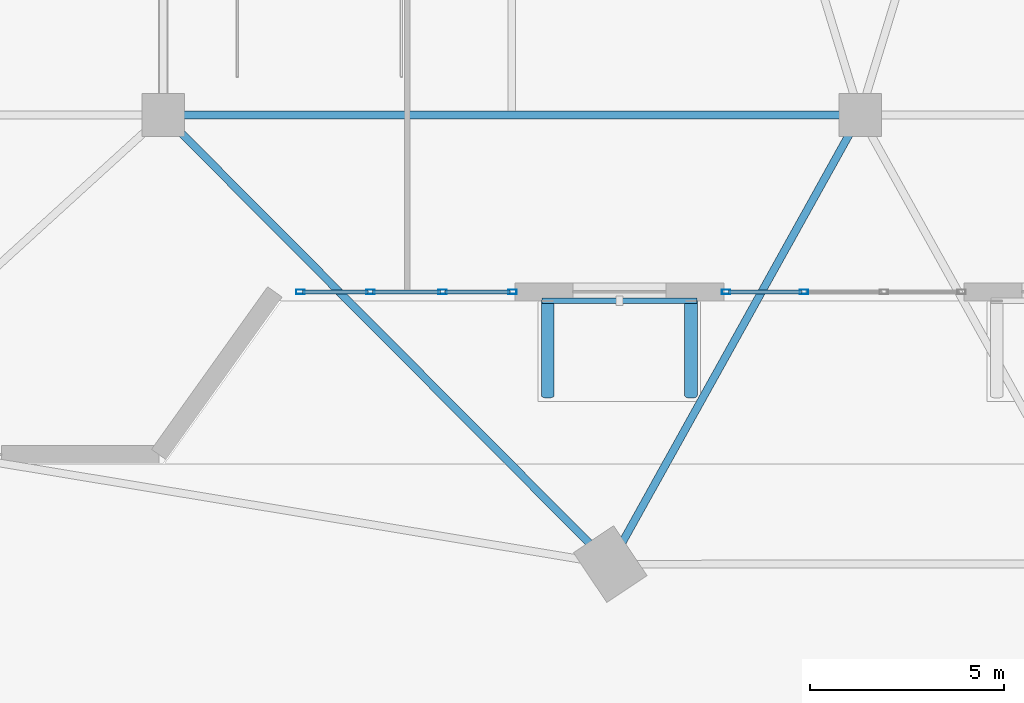
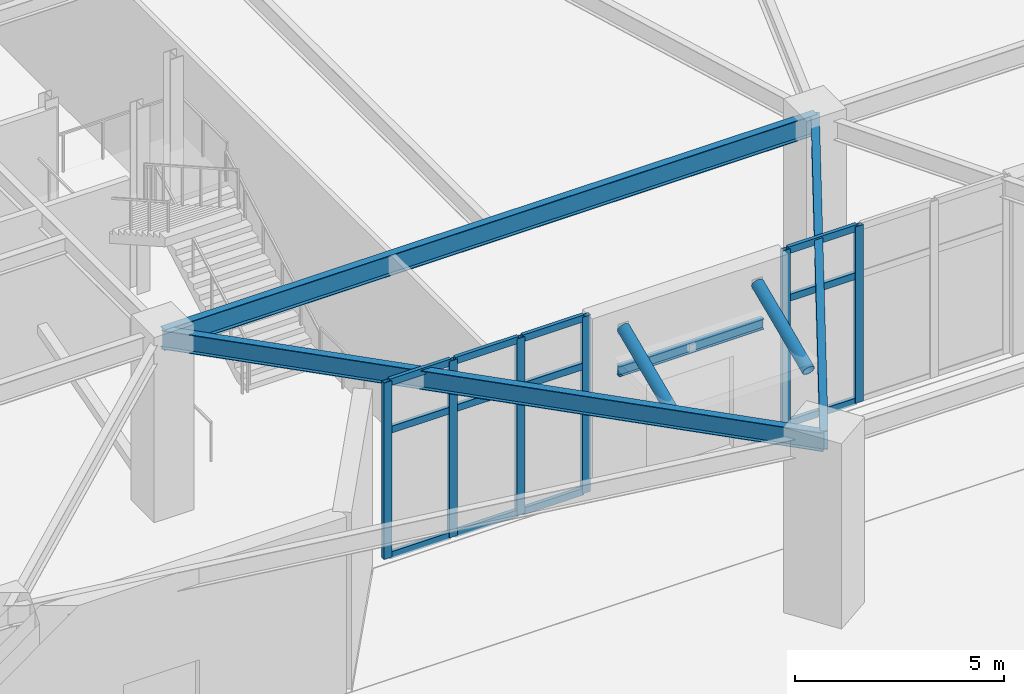
# One storey, part 5 of 30: 20 members, 4 beams, 2 elements without a shape of their own.
"""IFC4 building model written with IfcOpenShell, lengths in metres."""

from ifc_helpers import new_model, si_unit, direction, frame, origin, origin_2d, place, context, subcontext, project, spatial, hollow_rectangle, hollow_circle, i_section, extrude, source, transform, mapped, material, layer, layer_set, material_profile, profile_set, type_object, element, aggregate, save


model = new_model("IFC4")

# Units and contexts
model_context = context("Model", 3, precision=1e-05, world=origin(), true_north=direction((0.0, 1.0)))
body_context = subcontext(model_context, "Body", "Model", "MODEL_VIEW")
ifc_project = project(units=[si_unit("LENGTHUNIT", "METRE"), si_unit("AREAUNIT", "SQUARE_METRE"), si_unit("VOLUMEUNIT", "CUBIC_METRE"), si_unit("PLANEANGLEUNIT", "RADIAN"), si_unit("MASSUNIT", "GRAM", prefix="KILO")], contexts=[model_context])

# Site, building, storey
site_placement = place(None, origin())
site = spatial("IfcSite", under=ifc_project, at=site_placement, CompositionType="ELEMENT")
building_placement = place(site_placement, origin())
building = spatial("IfcBuilding", under=site, at=building_placement, Name="Liaohun Quay Tower", CompositionType="ELEMENT")
storey_placement = place(building_placement, origin())
storey = spatial("IfcBuildingStorey", under=building, at=storey_placement, Name="L01", CompositionType="ELEMENT", Elevation=0.0)

# Beams
ifc_material_1 = material(Name="Steel Q355D", Category="steel")
ifc_material_profile_1 = material_profile(ifc_material_1, i_section(OverallWidth=0.199951171875, OverallDepth=0.60009765625, WebThickness=0.010986328125, FlangeThickness=0.01708984375, at=origin_2d()), Name="HN600x200x11x17")
ifc_profile_set_1 = profile_set([ifc_material_profile_1], Name="Steel Q355D")
beam_type_1 = type_object("IfcBeamType", Name="BM-POD-G1", PredefinedType="BEAM", material=ifc_profile_set_1)
shared_shape_1 = source(origin(), body_context, "Body", "SweptSolid", [
    extrude(i_section(OverallWidth=0.199951171875, OverallDepth=0.60009765625, WebThickness=0.010986328125, FlangeThickness=0.01708984375, at=origin_2d()), origin(), (0.0, 0.0, 1.0), 18.0),
])
beam_1_placement = place(storey_placement, frame((42.0, 24.0, 4.85009765625), z_axis=(1.0, 0.0, 0.0), x_axis=(0.0, 1.0, 0.0)))
element("IfcBeam", 1, at=beam_1_placement, inside=storey, type_object=beam_type_1, Name="L01 Primary Grid Girder PG02-PG03", PredefinedType="BEAM", context=body_context, shape_type="MappedRepresentation", body=[
    mapped(shared_shape_1, transform((0.0, 0.0, 0.0), x_axis=(1.0, 0.0, 0.0), y_axis=(0.0, 1.0, 0.0), z_axis=(0.0, 0.0, 1.0), scale=1.0)),
])
ifc_material_profile_2 = material_profile(ifc_material_1, i_section(OverallWidth=0.199951171875, OverallDepth=0.550048828125, WebThickness=0.010009765625, FlangeThickness=0.01611328125, at=origin_2d()), Name="HN550x200x10x16")
ifc_profile_set_2 = profile_set([ifc_material_profile_2], Name="Steel Q355D")
beam_type_2 = type_object("IfcBeamType", Name="BM-POD-G2", PredefinedType="BEAM", material=ifc_profile_set_2)
shared_shape_2 = source(origin(), body_context, "Body", "SweptSolid", [
    extrude(i_section(OverallWidth=0.199951171875, OverallDepth=0.550048828125, WebThickness=0.010009765625, FlangeThickness=0.01611328125, at=origin_2d()), origin(), (0.0, 0.0, 1.0), 16.368896484375),
])
beam_2_placement = place(storey_placement, frame((53.5458984375, 12.39697265625, 4.875), z_axis=(-0.705359574392, 0.708849681395, 0.0), x_axis=(-0.708849681395, -0.705359574392, 0.0)))
element("IfcBeam", 2, at=beam_2_placement, inside=storey, type_object=beam_type_2, Name="L01 Primary Grid Girder PC01-PG02", PredefinedType="BEAM", context=body_context, shape_type="MappedRepresentation", body=[
    mapped(shared_shape_2, transform((0.0, 0.0, 0.0), x_axis=(1.0, 0.0, 0.0), y_axis=(0.0, 1.0, 0.0), z_axis=(0.0, 0.0, 1.0), scale=1.0)),
])
shared_shape_3 = source(origin(), body_context, "Body", "SweptSolid", [
    extrude(i_section(OverallWidth=0.199951171875, OverallDepth=0.550048828125, WebThickness=0.010009765625, FlangeThickness=0.01611328125, at=origin_2d()), origin(), (0.0, 0.0, 1.0), 13.27734375),
])
beam_3_placement = place(storey_placement, frame((53.5458984375, 12.39697265625, 4.875), z_axis=(0.486101867227, 0.87390215395, 0.0), x_axis=(-0.87390215395, 0.486101867227, 0.0)))
element("IfcBeam", 3, at=beam_3_placement, inside=storey, type_object=beam_type_2, Name="L01 Primary Grid Girder PC01-PG03", PredefinedType="BEAM", context=body_context, shape_type="MappedRepresentation", body=[
    mapped(shared_shape_3, transform((0.0, 0.0, 0.0), x_axis=(1.0, 0.0, 0.0), y_axis=(0.0, 1.0, 0.0), z_axis=(0.0, 0.0, 1.0), scale=1.0)),
])

# Curtain wall, members
ifc_material_2 = material(Name="Thermally broken waterfront lobby unitised curtain wall")
ifc_layer = layer(ifc_material_2, 0.219970703125, Name="Thermally broken waterfront lobby unitised curtain wall")
ifc_layer_set = layer_set([ifc_layer], Name="Thermally broken waterfront lobby unitised curtain wall")
curtain_wall_type = type_object("IfcCurtainWallType", Name="CW-POD-PROM", PredefinedType="NOTDEFINED", material=ifc_layer_set)
curtain_wall_1_placement = place(storey_placement, origin())
curtain_wall_1 = element("IfcCurtainWall", 4, at=curtain_wall_1_placement, inside=storey, type_object=curtain_wall_type, Name="L01 Waterfront Lobby Curtain Wall CW1-1", PredefinedType="NOTDEFINED")
ifc_material_3 = material(Name="Anodised aluminium 6063-T6", Category="aluminium")
ifc_material_profile_3 = material_profile(ifc_material_3, hollow_rectangle(XDim=0.1201171875, YDim=0.219970703125, WallThickness=0.008056640625, at=origin_2d()), Name="RHS220x120x8")
ifc_profile_set_3 = profile_set([ifc_material_profile_3], Name="Anodised aluminium 6063-T6")
member_type_1 = type_object("IfcMemberType", Name="MEM-CWM-LOB", PredefinedType="MULLION", material=ifc_profile_set_3)
shared_shape_4 = source(origin(), body_context, "Body", "SweptSolid", [
    extrude(hollow_rectangle(XDim=0.1201171875, YDim=0.219970703125, WallThickness=0.008056640625, at=origin_2d()), origin(), (0.0, 0.0, 1.0), 5.14990234375),
])
member_1_placement = place(storey_placement, frame((45.5419921875, 19.429931640625, 0.0), z_axis=(0.0, 0.0, 1.0), x_axis=(0.0, 1.0, 0.0)))
member_1 = element("IfcMember", 5, at=member_1_placement, type_object=member_type_1, Name="CW1 mullion 1", PredefinedType="MULLION", context=body_context, shape_type="MappedRepresentation", body=[
    mapped(shared_shape_4, transform((0.0, 0.0, 0.0), x_axis=(1.0, 0.0, 0.0), y_axis=(0.0, 1.0, 0.0), z_axis=(0.0, 0.0, 1.0), scale=1.0)),
])
member_2_placement = place(storey_placement, frame((47.3486328125, 19.429931640625, 0.0), z_axis=(0.0, 0.0, 1.0), x_axis=(0.0, 1.0, 0.0)))
member_2 = element("IfcMember", 6, at=member_2_placement, type_object=member_type_1, Name="CW1 mullion 2", PredefinedType="MULLION", context=body_context, shape_type="MappedRepresentation", body=[
    mapped(shared_shape_4, transform((0.0, 0.0, 0.0), x_axis=(1.0, 0.0, 0.0), y_axis=(0.0, 1.0, 0.0), z_axis=(0.0, 0.0, 1.0), scale=1.0)),
])
member_3_placement = place(storey_placement, frame((49.21533203125, 19.429931640625, 0.0), z_axis=(0.0, 0.0, 1.0), x_axis=(0.0, 1.0, 0.0)))
member_3 = element("IfcMember", 7, at=member_3_placement, type_object=member_type_1, Name="CW1 mullion 3", PredefinedType="MULLION", context=body_context, shape_type="MappedRepresentation", body=[
    mapped(shared_shape_4, transform((0.0, 0.0, 0.0), x_axis=(1.0, 0.0, 0.0), y_axis=(0.0, 1.0, 0.0), z_axis=(0.0, 0.0, 1.0), scale=1.0)),
])
member_4_placement = place(storey_placement, frame((51.02197265625, 19.429931640625, 0.0), z_axis=(0.0, 0.0, 1.0), x_axis=(0.0, 1.0, 0.0)))
member_4 = element("IfcMember", 8, at=member_4_placement, type_object=member_type_1, Name="CW1 mullion 4", PredefinedType="MULLION", context=body_context, shape_type="MappedRepresentation", body=[
    mapped(shared_shape_4, transform((0.0, 0.0, 0.0), x_axis=(1.0, 0.0, 0.0), y_axis=(0.0, 1.0, 0.0), z_axis=(0.0, 0.0, 1.0), scale=1.0)),
])

curtain_wall_2_placement = place(storey_placement, origin())
curtain_wall_2 = element("IfcCurtainWall", 9, at=curtain_wall_2_placement, inside=storey, type_object=curtain_wall_type, Name="L01 Waterfront Lobby Curtain Wall CW1-2", PredefinedType="NOTDEFINED")
member_5_placement = place(storey_placement, frame((56.5419921875, 19.429931640625, 0.0), z_axis=(0.0, 0.0, 1.0), x_axis=(0.0, 1.0, 0.0)))
member_5 = element("IfcMember", 10, at=member_5_placement, type_object=member_type_1, Name="CW1 mullion 1", PredefinedType="MULLION", context=body_context, shape_type="MappedRepresentation", body=[
    mapped(shared_shape_4, transform((0.0, 0.0, 0.0), x_axis=(1.0, 0.0, 0.0), y_axis=(0.0, 1.0, 0.0), z_axis=(0.0, 0.0, 1.0), scale=1.0)),
])
member_6_placement = place(storey_placement, frame((58.548583984375, 19.429931640625, 0.0), z_axis=(0.0, 0.0, 1.0), x_axis=(0.0, 1.0, 0.0)))
member_6 = element("IfcMember", 11, at=member_6_placement, type_object=member_type_1, Name="CW1 mullion 2", PredefinedType="MULLION", context=body_context, shape_type="MappedRepresentation", body=[
    mapped(shared_shape_4, transform((0.0, 0.0, 0.0), x_axis=(1.0, 0.0, 0.0), y_axis=(0.0, 1.0, 0.0), z_axis=(0.0, 0.0, 1.0), scale=1.0)),
])

# Member
ifc_material_profile_4 = material_profile(ifc_material_3, hollow_rectangle(XDim=0.10009765625, YDim=0.199951171875, WallThickness=0.006103515625, at=origin_2d()), Name="RHS200x100x6")
ifc_profile_set_4 = profile_set([ifc_material_profile_4], Name="Anodised aluminium 6063-T6")
member_type_2 = type_object("IfcMemberType", Name="MEM-CWT-LOB", PredefinedType="USERDEFINED", material=ifc_profile_set_4)
shared_shape_5 = source(origin(), body_context, "Body", "SweptSolid", [
    extrude(hollow_rectangle(XDim=0.10009765625, YDim=0.199951171875, WallThickness=0.006103515625, at=origin_2d()), origin(), (0.0, 0.0, 1.0), 1.6865234375),
])
member_7_placement = place(storey_placement, frame((45.60205078125, 19.429931640625, 0.050048828125), z_axis=(1.0, 0.0, 0.0), x_axis=(0.0, 1.0, 0.0)))
member_7 = element("IfcMember", 12, at=member_7_placement, type_object=member_type_2, Name="CW1 transom 1.1", ObjectType="TRANSOM", PredefinedType="USERDEFINED", context=body_context, shape_type="MappedRepresentation", body=[
    mapped(shared_shape_5, transform((0.0, 0.0, 0.0), x_axis=(1.0, 0.0, 0.0), y_axis=(0.0, 1.0, 0.0), z_axis=(0.0, 0.0, 1.0), scale=1.0)),
])

member_8_placement = place(storey_placement, frame((45.60205078125, 19.429931640625, 3.7080078125), z_axis=(1.0, 0.0, 0.0), x_axis=(0.0, 1.0, 0.0)))
member_8 = element("IfcMember", 13, at=member_8_placement, type_object=member_type_2, Name="CW1 transom 1.2", ObjectType="TRANSOM", PredefinedType="USERDEFINED", context=body_context, shape_type="MappedRepresentation", body=[
    mapped(shared_shape_5, transform((0.0, 0.0, 0.0), x_axis=(1.0, 0.0, 0.0), y_axis=(0.0, 1.0, 0.0), z_axis=(0.0, 0.0, 1.0), scale=1.0)),
])

member_9_placement = place(storey_placement, frame((45.60205078125, 19.429931640625, 5.10009765625), z_axis=(1.0, 0.0, 0.0), x_axis=(0.0, 1.0, 0.0)))
member_9 = element("IfcMember", 14, at=member_9_placement, type_object=member_type_2, Name="CW1 transom 1.3", ObjectType="TRANSOM", PredefinedType="USERDEFINED", context=body_context, shape_type="MappedRepresentation", body=[
    mapped(shared_shape_5, transform((0.0, 0.0, 0.0), x_axis=(1.0, 0.0, 0.0), y_axis=(0.0, 1.0, 0.0), z_axis=(0.0, 0.0, 1.0), scale=1.0)),
])

member_10_placement = place(storey_placement, frame((49.275390625, 19.429931640625, 0.050048828125), z_axis=(1.0, 0.0, 0.0), x_axis=(0.0, 1.0, 0.0)))
member_10 = element("IfcMember", 15, at=member_10_placement, type_object=member_type_2, Name="CW1 transom 3.1", ObjectType="TRANSOM", PredefinedType="USERDEFINED", context=body_context, shape_type="MappedRepresentation", body=[
    mapped(shared_shape_5, transform((0.0, 0.0, 0.0), x_axis=(1.0, 0.0, 0.0), y_axis=(0.0, 1.0, 0.0), z_axis=(0.0, 0.0, 1.0), scale=1.0)),
])

member_11_placement = place(storey_placement, frame((49.275390625, 19.429931640625, 3.7080078125), z_axis=(1.0, 0.0, 0.0), x_axis=(0.0, 1.0, 0.0)))
member_11 = element("IfcMember", 16, at=member_11_placement, type_object=member_type_2, Name="CW1 transom 3.2", ObjectType="TRANSOM", PredefinedType="USERDEFINED", context=body_context, shape_type="MappedRepresentation", body=[
    mapped(shared_shape_5, transform((0.0, 0.0, 0.0), x_axis=(1.0, 0.0, 0.0), y_axis=(0.0, 1.0, 0.0), z_axis=(0.0, 0.0, 1.0), scale=1.0)),
])

member_12_placement = place(storey_placement, frame((49.275390625, 19.429931640625, 5.10009765625), z_axis=(1.0, 0.0, 0.0), x_axis=(0.0, 1.0, 0.0)))
member_12 = element("IfcMember", 17, at=member_12_placement, type_object=member_type_2, Name="CW1 transom 3.3", ObjectType="TRANSOM", PredefinedType="USERDEFINED", context=body_context, shape_type="MappedRepresentation", body=[
    mapped(shared_shape_5, transform((0.0, 0.0, 0.0), x_axis=(1.0, 0.0, 0.0), y_axis=(0.0, 1.0, 0.0), z_axis=(0.0, 0.0, 1.0), scale=1.0)),
])

shared_shape_6 = source(origin(), body_context, "Body", "SweptSolid", [
    extrude(hollow_rectangle(XDim=0.10009765625, YDim=0.199951171875, WallThickness=0.006103515625, at=origin_2d()), origin(), (0.0, 0.0, 1.0), 1.74658203125),
])
member_13_placement = place(storey_placement, frame((47.40869140625, 19.429931640625, 0.050048828125), z_axis=(1.0, 0.0, 0.0), x_axis=(0.0, 1.0, 0.0)))
member_13 = element("IfcMember", 18, at=member_13_placement, type_object=member_type_2, Name="CW1 transom 2.1", ObjectType="TRANSOM", PredefinedType="USERDEFINED", context=body_context, shape_type="MappedRepresentation", body=[
    mapped(shared_shape_6, transform((0.0, 0.0, 0.0), x_axis=(1.0, 0.0, 0.0), y_axis=(0.0, 1.0, 0.0), z_axis=(0.0, 0.0, 1.0), scale=1.0)),
])

member_14_placement = place(storey_placement, frame((47.40869140625, 19.429931640625, 3.7080078125), z_axis=(1.0, 0.0, 0.0), x_axis=(0.0, 1.0, 0.0)))
member_14 = element("IfcMember", 19, at=member_14_placement, type_object=member_type_2, Name="CW1 transom 2.2", ObjectType="TRANSOM", PredefinedType="USERDEFINED", context=body_context, shape_type="MappedRepresentation", body=[
    mapped(shared_shape_6, transform((0.0, 0.0, 0.0), x_axis=(1.0, 0.0, 0.0), y_axis=(0.0, 1.0, 0.0), z_axis=(0.0, 0.0, 1.0), scale=1.0)),
])

member_15_placement = place(storey_placement, frame((47.40869140625, 19.429931640625, 5.10009765625), z_axis=(1.0, 0.0, 0.0), x_axis=(0.0, 1.0, 0.0)))
member_15 = element("IfcMember", 20, at=member_15_placement, type_object=member_type_2, Name="CW1 transom 2.3", ObjectType="TRANSOM", PredefinedType="USERDEFINED", context=body_context, shape_type="MappedRepresentation", body=[
    mapped(shared_shape_6, transform((0.0, 0.0, 0.0), x_axis=(1.0, 0.0, 0.0), y_axis=(0.0, 1.0, 0.0), z_axis=(0.0, 0.0, 1.0), scale=1.0)),
])

aggregate(curtain_wall_1, [member_1, member_2, member_3, member_4, member_7, member_8, member_9, member_13, member_14, member_15, member_10, member_11, member_12])

shared_shape_7 = source(origin(), body_context, "Body", "SweptSolid", [
    extrude(hollow_rectangle(XDim=0.10009765625, YDim=0.199951171875, WallThickness=0.006103515625, at=origin_2d()), origin(), (0.0, 0.0, 1.0), 1.88671875),
])
member_16_placement = place(storey_placement, frame((56.60205078125, 19.429931640625, 0.050048828125), z_axis=(1.0, 0.0, 0.0), x_axis=(0.0, 1.0, 0.0)))
member_16 = element("IfcMember", 21, at=member_16_placement, type_object=member_type_2, Name="CW1 transom 1.1", ObjectType="TRANSOM", PredefinedType="USERDEFINED", context=body_context, shape_type="MappedRepresentation", body=[
    mapped(shared_shape_7, transform((0.0, 0.0, 0.0), x_axis=(1.0, 0.0, 0.0), y_axis=(0.0, 1.0, 0.0), z_axis=(0.0, 0.0, 1.0), scale=1.0)),
])

member_17_placement = place(storey_placement, frame((56.60205078125, 19.429931640625, 3.7080078125), z_axis=(1.0, 0.0, 0.0), x_axis=(0.0, 1.0, 0.0)))
member_17 = element("IfcMember", 22, at=member_17_placement, type_object=member_type_2, Name="CW1 transom 1.2", ObjectType="TRANSOM", PredefinedType="USERDEFINED", context=body_context, shape_type="MappedRepresentation", body=[
    mapped(shared_shape_7, transform((0.0, 0.0, 0.0), x_axis=(1.0, 0.0, 0.0), y_axis=(0.0, 1.0, 0.0), z_axis=(0.0, 0.0, 1.0), scale=1.0)),
])

member_18_placement = place(storey_placement, frame((56.60205078125, 19.429931640625, 5.10009765625), z_axis=(1.0, 0.0, 0.0), x_axis=(0.0, 1.0, 0.0)))
member_18 = element("IfcMember", 23, at=member_18_placement, type_object=member_type_2, Name="CW1 transom 1.3", ObjectType="TRANSOM", PredefinedType="USERDEFINED", context=body_context, shape_type="MappedRepresentation", body=[
    mapped(shared_shape_7, transform((0.0, 0.0, 0.0), x_axis=(1.0, 0.0, 0.0), y_axis=(0.0, 1.0, 0.0), z_axis=(0.0, 0.0, 1.0), scale=1.0)),
])

aggregate(curtain_wall_2, [member_5, member_6, member_16, member_17, member_18])

# Beam
ifc_material_profile_5 = material_profile(ifc_material_1, i_section(OverallWidth=0.14990234375, OverallDepth=0.300048828125, WebThickness=0.006591796875, FlangeThickness=0.009033203125, at=origin_2d()), Name="HN300x150x6.5x9")
ifc_profile_set_5 = profile_set([ifc_material_profile_5], Name="Steel Q355D")
beam_type_3 = type_object("IfcBeamType", Name="BM-CAN-P1", PredefinedType="USERDEFINED", material=ifc_profile_set_5)
shared_shape_8 = source(origin(), body_context, "Body", "SweptSolid", [
    extrude(i_section(OverallWidth=0.14990234375, OverallDepth=0.300048828125, WebThickness=0.006591796875, FlangeThickness=0.009033203125, at=origin_2d()), origin(), (0.0, 0.0, 1.0), 4.0),
])
beam_4_placement = place(storey_placement, frame((51.781982421875, 19.199951171875, 3.39990234375), z_axis=(1.0, 0.0, 0.0), x_axis=(0.0, 1.0, 0.0)))
element("IfcBeam", 24, at=beam_4_placement, inside=storey, type_object=beam_type_3, Name="L01 Entrance Canopy E Ledger Beam", ObjectType="PURLIN", PredefinedType="USERDEFINED", context=body_context, shape_type="MappedRepresentation", body=[
    mapped(shared_shape_8, transform((0.0, 0.0, 0.0), x_axis=(1.0, 0.0, 0.0), y_axis=(0.0, 1.0, 0.0), z_axis=(0.0, 0.0, 1.0), scale=1.0)),
])

# Members
ifc_material_profile_6 = material_profile(ifc_material_1, hollow_circle(Radius=0.16259765625, WallThickness=0.013916015625, at=origin_2d()), Name="CHS325x14")
ifc_profile_set_6 = profile_set([ifc_material_profile_6], Name="Steel Q355D")
member_type_3 = type_object("IfcMemberType", Name="MEM-CAN-STR", PredefinedType="STRUT", material=ifc_profile_set_6)
shared_shape_9 = source(origin(), body_context, "Body", "SweptSolid", [
    extrude(hollow_circle(Radius=0.16259765625, WallThickness=0.013916015625, at=origin_2d()), origin(), (0.0, 0.0, 1.0), 2.66943359375),
])
for number, where, z_axis, x_axis, name in (
    (25, (51.931884765625, 19.199951171875, 4.60009765625), (0.0, -0.91777236799, -0.397106888073), (1.0, 0.0, 0.0), "L01 Entrance Canopy E Suspension Tie Strut 1"),
    (26, (55.632080078125, 19.199951171875, 4.60009765625), (0.0, -0.91777236799, -0.397106888073), (1.0, 0.0, 0.0), "L01 Entrance Canopy E Suspension Tie Strut 2"),
):
    element("IfcMember", number, at=place(storey_placement, frame(where, z_axis=z_axis, x_axis=x_axis)), inside=storey, type_object=member_type_3, Name=name, PredefinedType="STRUT", context=body_context, shape_type="MappedRepresentation", body=[
        mapped(shared_shape_9, transform((0.0, 0.0, 0.0), x_axis=(1.0, 0.0, 0.0), y_axis=(0.0, 1.0, 0.0), z_axis=(0.0, 0.0, 1.0), scale=1.0)),
    ])

save(model, "model.ifc")
